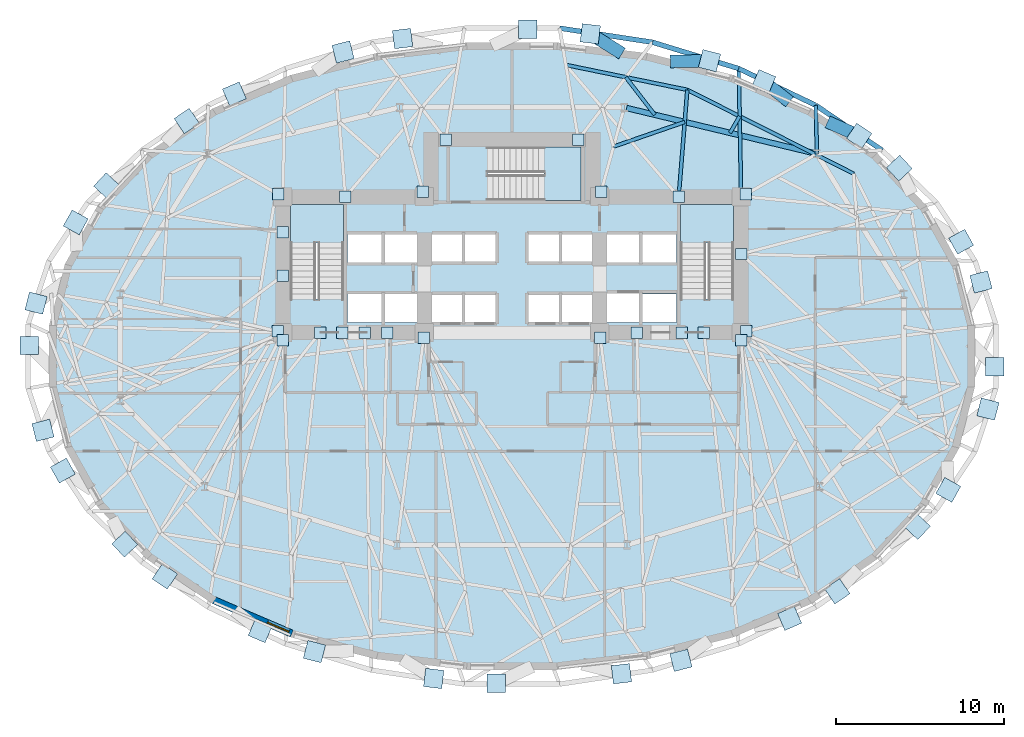
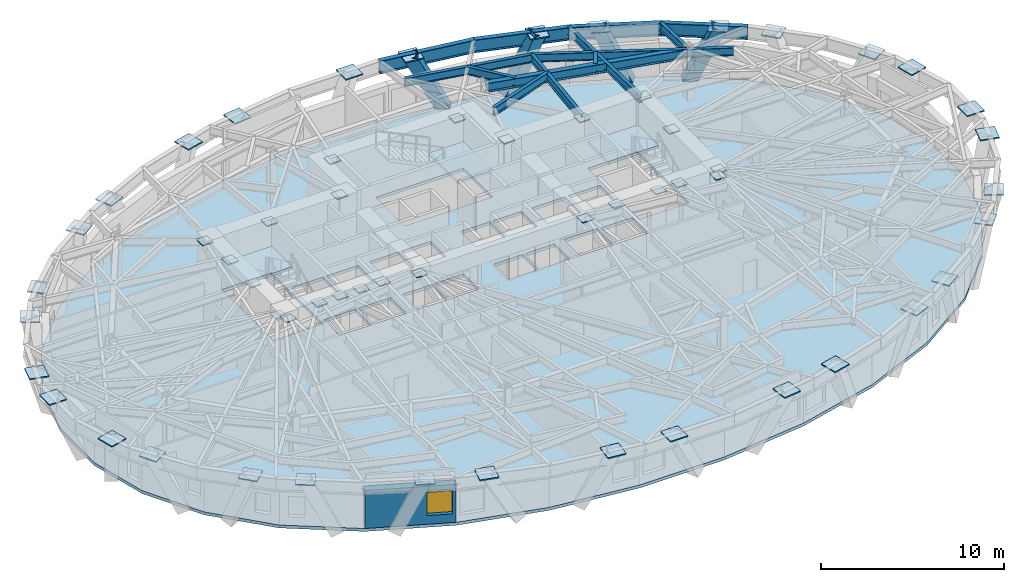
# One storey, part 5 of 14: 56 plates, 13 beams, 4 members, 4 slabs, 1 wall, 1 window, 1 opening, 3 elements without a shape of their own.
"""IFC4 building model written with IfcOpenShell, lengths in metres."""

from ifc_helpers import new_model, si_unit, direction, frame, frame_2d, origin, origin_2d, place, context, subcontext, project, spatial, polyline, rectangle, hollow_rectangle, i_section, outline, extrude, material, layer, layer_set, material_profile, profile_set, type_object, element, fill, aggregate, save


model = new_model("IFC4")

# Units and contexts
model_context = context("Model", 3, precision=1e-05, world=origin(), true_north=direction((0.0, 1.0)))
body_context = subcontext(model_context, "Body", "Model", "MODEL_VIEW")
ifc_project = project(units=[si_unit("LENGTHUNIT", "METRE"), si_unit("AREAUNIT", "SQUARE_METRE"), si_unit("VOLUMEUNIT", "CUBIC_METRE"), si_unit("PLANEANGLEUNIT", "RADIAN"), si_unit("MASSUNIT", "GRAM", prefix="KILO")], contexts=[model_context])

# Site, building, storey
site_placement = place(None, origin())
site = spatial("IfcSite", under=ifc_project, at=site_placement, CompositionType="ELEMENT")
building_placement = place(site_placement, origin())
building = spatial("IfcBuilding", under=site, at=building_placement, Name="Keldmark Tower", CompositionType="ELEMENT")
storey_placement = place(building_placement, frame((0.0, 0.0, 52.199951171875)))
storey = spatial("IfcBuildingStorey", under=building, at=storey_placement, Name="L13", CompositionType="ELEMENT", Elevation=52.199951171875)

# Members
ifc_material_1 = material(Name="Steel ASTM A572 Grade 50", Category="steel")
ifc_material_profile_1 = material_profile(ifc_material_1, hollow_rectangle(XDim=0.75, YDim=0.75, WallThickness=0.06494140625, at=origin_2d()), Name="BOX750X750X65")
ifc_profile_set_1 = profile_set([ifc_material_profile_1], Name="Steel ASTM A572 Grade 50")
member_type = type_object("IfcMemberType", Name="Diagrid Lower Brace BOX750X750X65", PredefinedType="BRACE", material=ifc_profile_set_1)
member_1_placement = place(storey_placement, frame((19.035400390625, 13.769775390625, -0.280029296875), z_axis=(0.397182424478, -0.176573558013, 0.900593082528), x_axis=(0.406230748204, 0.913770528751, 0.0)))
element("IfcMember", 1, at=member_1_placement, inside=storey, type_object=member_type, Name="L13 Perimeter Diagrid Brace 02B", PredefinedType="BRACE", context=body_context, shape_type="SweptSolid", body=[
    extrude(hollow_rectangle(XDim=0.75, YDim=0.75, WallThickness=0.06494140625, at=origin_2d()), origin(), (0.0, 0.0, 1.0), 3.953125),
])
member_2_placement = place(storey_placement, frame((16.2041015625, 15.302490234375, -0.280029296875), z_axis=(-0.323129547502, 0.254240253374, 0.911564144258), x_axis=(-0.618351877126, -0.785901365347, 0.0)))
element("IfcMember", 2, at=member_2_placement, inside=storey, type_object=member_type, Name="L13 Perimeter Diagrid Brace 03A", PredefinedType="BRACE", context=body_context, shape_type="SweptSolid", body=[
    extrude(hollow_rectangle(XDim=0.75, YDim=0.75, WallThickness=0.06494140625, at=origin_2d()), origin(), (0.0, 0.0, 1.0), 3.905517578125),
])
member_3_placement = place(storey_placement, frame((9.722900390625, 17.493896484375, -0.280029296875), z_axis=(0.489628303368, 0.010164465939, 0.871872013642), x_axis=(-0.020755083686, 0.99978459005, 0.0)))
element("IfcMember", 3, at=member_3_placement, inside=storey, type_object=member_type, Name="L13 Perimeter Diagrid Brace 03B", PredefinedType="BRACE", context=body_context, shape_type="SweptSolid", body=[
    extrude(hollow_rectangle(XDim=0.75, YDim=0.75, WallThickness=0.06494140625, at=origin_2d()), origin(), (0.0, 0.0, 1.0), 4.083251953125),
])
member_4_placement = place(storey_placement, frame((6.251220703125, 18.134765625, -0.280029296875), z_axis=(-0.398182214042, 0.246773608915, 0.883489507784), x_axis=(-0.526786444892, -0.849997671454, 0.0)))
element("IfcMember", 4, at=member_4_placement, inside=storey, type_object=member_type, Name="L13 Perimeter Diagrid Brace 04A", PredefinedType="BRACE", context=body_context, shape_type="SweptSolid", body=[
    extrude(hollow_rectangle(XDim=0.75, YDim=0.75, WallThickness=0.06494140625, at=origin_2d()), origin(), (0.0, 0.0, 1.0), 4.029541015625),
])

# Beams
ifc_material_2 = material(Name="Steel ASTM A992 Grade 50", Category="steel")
ifc_material_profile_2 = material_profile(ifc_material_2, i_section(OverallWidth=0.323974609375, OverallDepth=0.611083984375, WebThickness=0.0126953125, FlangeThickness=0.01904296875, at=origin_2d()), Name="W24X104")
ifc_profile_set_2 = profile_set([ifc_material_profile_2], Name="Steel ASTM A992 Grade 50")
beam_type_1 = type_object("IfcBeamType", Name="Primary Floor Girder W24X104", PredefinedType="BEAM", material=ifc_profile_set_2)
beam_1_placement = place(storey_placement, frame((17.961669921875, 12.040283203125, 3.094482421875), z_axis=(-0.972218707757, 0.2340743136, 0.0), x_axis=(-0.2340743136, -0.972218707757, 0.0)))
element("IfcBeam", 5, at=beam_1_placement, inside=storey, type_object=beam_type_1, Name="L13 Floor Ring Girder FG-R02", PredefinedType="BEAM", context=body_context, shape_type="SweptSolid", body=[
    extrude(i_section(OverallWidth=0.323974609375, OverallDepth=0.611083984375, WebThickness=0.0126953125, FlangeThickness=0.01904296875, at=origin_2d()), origin(), (0.0, 0.0, 1.0), 11.479248046875),
])
ifc_material_3 = material(Name="Steel ASTM A992 Grade 50", Category="steel")
ifc_material_profile_3 = material_profile(ifc_material_3, i_section(OverallWidth=0.2099609375, OverallDepth=0.537109375, WebThickness=0.010986328125, FlangeThickness=0.017333984375, at=origin_2d()), Name="W21X68")
ifc_profile_set_3 = profile_set([ifc_material_profile_3], Name="Steel ASTM A992 Grade 50")
beam_type_2 = type_object("IfcBeamType", Name="Radial Tie Girder W21X68", PredefinedType="BEAM", material=ifc_profile_set_3)
beam_2_placement = place(storey_placement, frame((6.023681640625, 12.43505859375, 3.131591796875), z_axis=(0.945086624038, 0.326819939821, 0.0), x_axis=(-0.326819939821, 0.945086624038, 0.0)))
element("IfcBeam", 6, at=beam_2_placement, inside=storey, type_object=beam_type_2, Name="L13 Framing Pin Header PH-002", PredefinedType="BEAM", context=body_context, shape_type="SweptSolid", body=[
    extrude(i_section(OverallWidth=0.2099609375, OverallDepth=0.537109375, WebThickness=0.010986328125, FlangeThickness=0.017333984375, at=origin_2d()), origin(), (0.0, 0.0, 1.0), 4.472412109375),
])
beam_3_placement = place(storey_placement, frame((9.892822265625, 9.449951171875, 3.131591796875), z_axis=(0.080163846241, 0.996781700151, 0.0), x_axis=(-0.996781700151, 0.080163846241, 0.0)))
element("IfcBeam", 7, at=beam_3_placement, inside=storey, type_object=beam_type_2, Name="L13 Sub-Ring Step Girder STP1-M02", PredefinedType="BEAM", context=body_context, shape_type="SweptSolid", body=[
    extrude(i_section(OverallWidth=0.2099609375, OverallDepth=0.537109375, WebThickness=0.010986328125, FlangeThickness=0.017333984375, at=origin_2d()), origin(), (0.0, 0.0, 1.0), 6.374267578125),
])
beam_4_placement = place(storey_placement, frame((20.270263671875, 10.831298828125, 3.131591796875), z_axis=(-0.893004066682, 0.45004859392, 0.0), x_axis=(-0.45004859392, -0.893004066682, 0.0)))
element("IfcBeam", 8, at=beam_4_placement, inside=storey, type_object=beam_type_2, Name="L13 Perimeter Collector Ring Beam CRG1-M01", PredefinedType="BEAM", context=body_context, shape_type="SweptSolid", body=[
    extrude(i_section(OverallWidth=0.2099609375, OverallDepth=0.537109375, WebThickness=0.010986328125, FlangeThickness=0.017333984375, at=origin_2d()), origin(), (0.0, 0.0, 1.0), 11.048583984375),
])
beam_5_placement = place(storey_placement, frame((10.40380859375, 15.8037109375, 3.131591796875), z_axis=(-0.97953894466, 0.201254704032, 0.0), x_axis=(-0.201254704032, -0.97953894466, 0.0)))
element("IfcBeam", 9, at=beam_5_placement, inside=storey, type_object=beam_type_2, Name="L13 Perimeter Collector Ring Beam CRG1-M02", PredefinedType="BEAM", context=body_context, shape_type="SweptSolid", body=[
    extrude(i_section(OverallWidth=0.2099609375, OverallDepth=0.537109375, WebThickness=0.010986328125, FlangeThickness=0.017333984375, at=origin_2d()), origin(), (0.0, 0.0, 1.0), 7.36962890625),
])
beam_6_placement = place(storey_placement, frame((18.09765625, 12.00732421875, 3.131591796875), z_axis=(-0.024892766779, 0.99969012707, 0.0), x_axis=(-0.99969012707, -0.024892766779, 0.0)))
element("IfcBeam", 10, at=beam_6_placement, inside=storey, type_object=beam_type_2, Name="L13 Perimeter Column Bracket RT-05", PredefinedType="BEAM", context=body_context, shape_type="SweptSolid", body=[
    extrude(i_section(OverallWidth=0.2099609375, OverallDepth=0.537109375, WebThickness=0.010986328125, FlangeThickness=0.017333984375, at=origin_2d()), origin(), (0.0, 0.0, 1.0), 2.883544921875),
])
beam_7_placement = place(storey_placement, frame((12.939453125, 13.249267578125, 3.131591796875), z_axis=(0.500024700597, 0.866011142419, 0.0), x_axis=(-0.866011142419, 0.500024700597, 0.0)))
element("IfcBeam", 11, at=beam_7_placement, inside=storey, type_object=beam_type_2, Name="L13 Framing Pin Header PH-018", PredefinedType="BEAM", context=body_context, shape_type="SweptSolid", body=[
    extrude(i_section(OverallWidth=0.2099609375, OverallDepth=0.537109375, WebThickness=0.010986328125, FlangeThickness=0.017333984375, at=origin_2d()), origin(), (0.0, 0.0, 1.0), 1.14208984375),
])
beam_8_placement = place(storey_placement, frame((13.60009765625, 9.449951171875, 3.131591796875), z_axis=(-0.018713471393, 0.999824887662, 0.0), x_axis=(-0.999824887662, -0.018713471393, 0.0)))
element("IfcBeam", 12, at=beam_8_placement, inside=storey, type_object=beam_type_2, Name="L13 Perimeter Radial Tie Girder RT-06", PredefinedType="BEAM", context=body_context, shape_type="SweptSolid", body=[
    extrude(i_section(OverallWidth=0.2099609375, OverallDepth=0.537109375, WebThickness=0.010986328125, FlangeThickness=0.017333984375, at=origin_2d()), origin(), (0.0, 0.0, 1.0), 7.618896484375),
])
beam_9_placement = place(storey_placement, frame((8.475341796875, 14.32421875, 3.131591796875), z_axis=(-0.61079568729, 0.79178824719, 0.0), x_axis=(-0.79178824719, -0.61079568729, 0.0)))
element("IfcBeam", 13, at=beam_9_placement, inside=storey, type_object=beam_type_2, Name="L13 Framing Pin Header PH-019", PredefinedType="BEAM", context=body_context, shape_type="SweptSolid", body=[
    extrude(i_section(OverallWidth=0.2099609375, OverallDepth=0.537109375, WebThickness=0.010986328125, FlangeThickness=0.017333984375, at=origin_2d()), origin(), (0.0, 0.0, 1.0), 2.815185546875),
])
ifc_material_4 = material(Name="Steel ASTM A992 Grade 50", Category="steel")
ifc_material_profile_4 = material_profile(ifc_material_4, i_section(OverallWidth=0.2919921875, OverallDepth=0.85888671875, WebThickness=0.01708984375, FlangeThickness=0.031005859375, at=origin_2d()), Name="W33X169")
ifc_profile_set_4 = profile_set([ifc_material_profile_4], Name="Steel ASTM A992 Grade 50")
beam_type_3 = type_object("IfcBeamType", Name="Spandrel Ring Beam W33X169", PredefinedType="SPANDREL", material=ifc_profile_set_4)
beam_10_placement = place(storey_placement, frame((21.964599609375, 12.2197265625, 2.970458984375), z_axis=(-0.827723442454, 0.561136260468, 0.0), x_axis=(-0.561136260468, -0.827723442454, 0.0)))
element("IfcBeam", 14, at=beam_10_placement, inside=storey, type_object=beam_type_3, Name="L13 Perimeter Spandrel Ring Beam SRB-04", PredefinedType="SPANDREL", context=body_context, shape_type="SweptSolid", body=[
    extrude(i_section(OverallWidth=0.2919921875, OverallDepth=0.85888671875, WebThickness=0.01708984375, FlangeThickness=0.031005859375, at=origin_2d()), origin(), (0.0, 0.0, 1.0), 4.758544921875),
])
beam_11_placement = place(storey_placement, frame((18.02587890625, 14.889892578125, 2.970458984375), z_axis=(-0.902682101727, 0.430308056189, 0.0), x_axis=(-0.430308056189, -0.902682101727, 0.0)))
element("IfcBeam", 15, at=beam_11_placement, inside=storey, type_object=beam_type_3, Name="L13 Perimeter Spandrel Ring Beam SRB-05", PredefinedType="SPANDREL", context=body_context, shape_type="SweptSolid", body=[
    extrude(i_section(OverallWidth=0.2919921875, OverallDepth=0.85888671875, WebThickness=0.01708984375, FlangeThickness=0.031005859375, at=origin_2d()), origin(), (0.0, 0.0, 1.0), 5.060791015625),
])
beam_12_placement = place(storey_placement, frame((13.45751953125, 17.067626953125, 2.970458984375), z_axis=(-0.956466543593, 0.291841996615, 0.0), x_axis=(-0.291841996615, -0.956466543593, 0.0)))
element("IfcBeam", 16, at=beam_12_placement, inside=storey, type_object=beam_type_3, Name="L13 Perimeter Spandrel Ring Beam SRB-06", PredefinedType="SPANDREL", context=body_context, shape_type="SweptSolid", body=[
    extrude(i_section(OverallWidth=0.2919921875, OverallDepth=0.85888671875, WebThickness=0.01708984375, FlangeThickness=0.031005859375, at=origin_2d()), origin(), (0.0, 0.0, 1.0), 5.35400390625),
])
beam_13_placement = place(storey_placement, frame((8.336669921875, 18.630126953125, 2.970458984375), z_axis=(-0.988714127489, 0.149814465604, 0.0), x_axis=(-0.149814465604, -0.988714127489, 0.0)))
element("IfcBeam", 17, at=beam_13_placement, inside=storey, type_object=beam_type_3, Name="L13 Perimeter Spandrel Ring Beam SRB-07", PredefinedType="SPANDREL", context=body_context, shape_type="SweptSolid", body=[
    extrude(i_section(OverallWidth=0.2919921875, OverallDepth=0.85888671875, WebThickness=0.01708984375, FlangeThickness=0.031005859375, at=origin_2d()), origin(), (0.0, 0.0, 1.0), 5.57177734375),
])

# Plates
ifc_material_5 = material(Name="Steel ASTM A572 Grade 50", Category="steel")
ifc_layer_1 = layer(ifc_material_5, 0.06005859375)
ifc_layer_set_1 = layer_set([ifc_layer_1], Name="Steel ASTM A572 Grade 50")
plate_type_1 = type_object("IfcPlateType", Name="Belt Truss Kink Node Assembly KN01 60 mm", PredefinedType="USERDEFINED", material=ifc_layer_set_1)
for number, where, z_axis, x_axis, name in (
    (18, (13.91162109375, 1.473388671875, 3.09814453125), (0.0, 0.0, 1.0), (1.0, 0.0, 0.0), "L13 Core Wall Cast-In Embed Plate 325"),
    (19, (13.878173828125, 9.608154296875, 3.09814453125), (0.0, 0.0, 1.0), (1.0, 0.0, 0.0), "L13 Core Wall Cast-In Embed Plate 326"),
    (20, (5.28515625, 9.758544921875, 3.09814453125), (0.0, 0.0, 1.0), (1.0, 0.0, 0.0), "L13 Core Wall Cast-In Embed Plate 327"),
    (21, (-5.28515625, 9.758544921875, 3.09814453125), (0.0, 0.0, 1.0), (1.0, 0.0, 0.0), "L13 Core Wall Cast-In Embed Plate 328"),
    (22, (-13.878173828125, 9.608154296875, 3.09814453125), (0.0, 0.0, 1.0), (1.0, 0.0, 0.0), "L13 Core Wall Cast-In Embed Plate 329"),
    (23, (-13.91162109375, 1.473388671875, 3.09814453125), (0.0, 0.0, 1.0), (1.0, 0.0, 0.0), "L13 Core Wall Cast-In Embed Plate 330"),
    (24, (-5.24072265625, 1.08251953125, 3.09814453125), (0.0, 0.0, 1.0), (1.0, 0.0, 0.0), "L13 Core Wall Cast-In Embed Plate 331"),
    (25, (5.24072265625, 1.08251953125, 3.09814453125), (0.0, 0.0, 1.0), (1.0, 0.0, 0.0), "L13 Core Wall Cast-In Embed Plate 332"),
    (26, (9.892822265625, 9.449951171875, 3.10400390625), (0.0, 0.0, 1.0), (1.0, 0.0, 0.0), "L13 Core Wall Cast-In Embed Plate 333"),
    (27, (-9.892822265625, 9.449951171875, 3.10400390625), (0.0, 0.0, 1.0), (1.0, 0.0, 0.0), "L13 Core Wall Cast-In Embed Plate 334"),
    (28, (-11.392822265625, 1.39990234375, 3.10400390625), (0.0, 0.0, 1.0), (1.0, 0.0, 0.0), "L13 Core Wall Cast-In Embed Plate 335"),
    (29, (13.60009765625, 0.949951171875, 3.10400390625), (0.0, 0.0, 1.0), (1.0, 0.0, 0.0), "L13 Core Wall Cast-In Embed Plate 336"),
    (30, (13.60009765625, 6.064208984375, 3.10400390625), (0.0, 0.0, 1.0), (1.0, 0.0, 0.0), "L13 Core Wall Cast-In Embed Plate 337"),
    (31, (3.9375, 12.85009765625, 3.10400390625), (0.0, 0.0, 1.0), (1.0, 0.0, 0.0), "L13 Core Wall Cast-In Embed Plate 338"),
    (32, (-3.9375, 12.85009765625, 3.10400390625), (0.0, 0.0, 1.0), (1.0, 0.0, 0.0), "L13 Core Wall Cast-In Embed Plate 339"),
    (33, (-13.60009765625, 7.343017578125, 3.10400390625), (0.0, 0.0, 1.0), (1.0, 0.0, 0.0), "L13 Core Wall Cast-In Embed Plate 340"),
    (34, (-13.60009765625, 0.949951171875, 3.10400390625), (0.0, 0.0, 1.0), (1.0, 0.0, 0.0), "L13 Core Wall Cast-In Embed Plate 341"),
    (35, (-13.60009765625, 4.78564453125, 3.10400390625), (0.0, 0.0, 1.0), (1.0, 0.0, 0.0), "L13 Core Wall Cast-In Embed Plate 342"),
    (36, (-7.406982421875, 1.39990234375, 3.10400390625), (0.0, 0.0, 1.0), (1.0, 0.0, 0.0), "L13 Core Wall Cast-In Embed Plate 343"),
    (37, (-10.064208984375, 1.39990234375, 3.10400390625), (0.0, 0.0, 1.0), (1.0, 0.0, 0.0), "L13 Core Wall Cast-In Embed Plate 344"),
    (38, (7.406982421875, 1.39990234375, 3.10400390625), (0.0, 0.0, 1.0), (1.0, 0.0, 0.0), "L13 Core Wall Cast-In Embed Plate 345"),
    (39, (11.392822265625, 1.39990234375, 3.10400390625), (0.0, 0.0, 1.0), (1.0, 0.0, 0.0), "L13 Core Wall Cast-In Embed Plate 346"),
    (40, (10.064208984375, 1.39990234375, 3.10400390625), (0.0, 0.0, 1.0), (1.0, 0.0, 0.0), "L13 Core Wall Cast-In Embed Plate 347"),
    (41, (-8.735595703125, 1.39990234375, 3.10400390625), (0.0, 0.0, 1.0), (1.0, 0.0, 0.0), "L13 Core Wall Cast-In Embed Plate 348"),
):
    element("IfcPlate", number, at=place(storey_placement, frame(where, z_axis=z_axis, x_axis=x_axis)), inside=storey, type_object=plate_type_1, Name=name, ObjectType="CAP PLATE", PredefinedType="USERDEFINED", context=body_context, shape_type="SweptSolid", body=[
        extrude(rectangle(XDim=0.679931640625, YDim=0.679931640625, at=origin_2d()), origin(), (0.0, 0.0, 1.0), 0.054931640625),
    ])
ifc_material_6 = material(Name="Steel ASTM A572 Grade 50", Category="steel")
ifc_layer_2 = layer(ifc_material_6, 0.074951171875)
ifc_layer_set_2 = layer_set([ifc_layer_2], Name="Steel ASTM A572 Grade 50")
plate_type_2 = type_object("IfcPlateType", Name="Diagrid Node Assembly DN01 75 mm", PredefinedType="USERDEFINED", material=ifc_layer_set_2)
for number, where, z_axis, x_axis, name in (
    (42, (27.8330078125, 4.400634765625, 3.24267578125), (0.0, 0.0, 1.0), (-0.248013628006, 0.968756543371, 0.0), "L13 Diagrid Node Assembly 01"),
    (43, (26.656494140625, 6.791015625, 3.24267578125), (0.0, 0.0, 1.0), (-0.487402531354, 0.87317740032, 0.0), "L13 Diagrid Node Assembly 02"),
    (44, (22.982666015625, 11.1591796875, 3.24267578125), (0.0, 0.0, 1.0), (-0.683018857343, 0.730400739673, 0.0), "L13 Diagrid Node Assembly 03"),
    (45, (20.60546875, 13.07177734375, 3.24267578125), (0.0, 0.0, 1.0), (-0.827864584251, 0.560928007986, 0.0), "L13 Diagrid Node Assembly 04"),
    (46, (14.942138671875, 16.29541015625, 3.24267578125), (0.0, 0.0, 1.0), (-0.918860091955, 0.394583491055, 0.0), "L13 Diagrid Node Assembly 05"),
    (47, (11.72216796875, 17.535400390625, 3.24267578125), (0.0, 0.0, 1.0), (-0.968713242072, 0.248182704141, 0.0), "L13 Diagrid Node Assembly 06"),
    (48, (4.646728515625, 19.129150390625, 3.24267578125), (0.0, 0.0, 1.0), (-0.993150271527, 0.1168440763, 0.0), "L13 Diagrid Node Assembly 07"),
    (49, (0.936767578125, 19.4052734375, 3.24267578125), (0.0, 0.0, 1.0), (-1.0, 0.0, 0.0), "L13 Diagrid Node Assembly 08"),
    (50, (-6.494384765625, 18.8486328125, 3.24267578125), (0.0, 0.0, 1.0), (-0.993150271527, -0.1168440763, 0.0), "L13 Diagrid Node Assembly 09"),
    (51, (-10.026123046875, 18.052001953125, 3.24267578125), (0.0, 0.0, 1.0), (-0.968713242072, -0.248182704141, 0.0), "L13 Diagrid Node Assembly 10"),
    (52, (-16.474853515625, 15.562744140625, 3.24267578125), (0.0, 0.0, 1.0), (-0.918860091955, -0.394583491055, 0.0), "L13 Diagrid Node Assembly 11"),
    (53, (-19.30078125, 13.953369140625, 3.24267578125), (0.0, 0.0, 1.0), (-0.827864584251, -0.560928007986, 0.0), "L13 Diagrid Node Assembly 12"),
    (54, (-24.06005859375, 10.116943359375, 3.24267578125), (0.0, 0.0, 1.0), (-0.683018857343, -0.730400739673, 0.0), "L13 Diagrid Node Assembly 13"),
    (55, (-25.892578125, 7.9375, 3.24267578125), (0.0, 0.0, 1.0), (-0.487402531354, -0.87317740032, 0.0), "L13 Diagrid Node Assembly 14"),
    (56, (-28.24560546875, 3.14453125, 3.24267578125), (0.0, 0.0, 1.0), (-0.248013628006, -0.968756543371, 0.0), "L13 Diagrid Node Assembly 15"),
    (57, (-28.65380859375, 0.633056640625, 3.24267578125), (0.0, 0.0, 1.0), (0.0, -1.0, 0.0), "L13 Diagrid Node Assembly 16"),
    (58, (-27.8330078125, -4.400634765625, 3.24267578125), (0.0, 0.0, 1.0), (0.248013628006, -0.968756543371, 0.0), "L13 Diagrid Node Assembly 17"),
    (59, (-26.656494140625, -6.791015625, 3.24267578125), (0.0, 0.0, 1.0), (0.487402531354, -0.87317740032, 0.0), "L13 Diagrid Node Assembly 18"),
    (60, (-22.982666015625, -11.1591796875, 3.24267578125), (0.0, 0.0, 1.0), (0.683018857343, -0.730400739673, 0.0), "L13 Diagrid Node Assembly 19"),
    (61, (-20.60546875, -13.07177734375, 3.24267578125), (0.0, 0.0, 1.0), (0.827864584251, -0.560928007986, 0.0), "L13 Diagrid Node Assembly 20"),
    (62, (-14.942138671875, -16.29541015625, 3.24267578125), (0.0, 0.0, 1.0), (0.918860091955, -0.394583491055, 0.0), "L13 Diagrid Node Assembly 21"),
    (63, (-11.72216796875, -17.535400390625, 3.24267578125), (0.0, 0.0, 1.0), (0.968713242072, -0.248182704141, 0.0), "L13 Diagrid Node Assembly 22"),
    (64, (-4.646728515625, -19.129150390625, 3.24267578125), (0.0, 0.0, 1.0), (0.993150271527, -0.1168440763, 0.0), "L13 Diagrid Node Assembly 23"),
    (65, (-0.936767578125, -19.4052734375, 3.24267578125), (0.0, 0.0, 1.0), (1.0, 0.0, 0.0), "L13 Diagrid Node Assembly 24"),
    (66, (6.494384765625, -18.8486328125, 3.24267578125), (0.0, 0.0, 1.0), (0.993150271527, 0.1168440763, 0.0), "L13 Diagrid Node Assembly 25"),
    (67, (10.026123046875, -18.052001953125, 3.24267578125), (0.0, 0.0, 1.0), (0.968713242072, 0.248182704141, 0.0), "L13 Diagrid Node Assembly 26"),
    (68, (16.474853515625, -15.562744140625, 3.24267578125), (0.0, 0.0, 1.0), (0.918860091955, 0.394583491055, 0.0), "L13 Diagrid Node Assembly 27"),
    (69, (19.30078125, -13.953369140625, 3.24267578125), (0.0, 0.0, 1.0), (0.827864584251, 0.560928007986, 0.0), "L13 Diagrid Node Assembly 28"),
    (70, (24.06005859375, -10.116943359375, 3.24267578125), (0.0, 0.0, 1.0), (0.683018857343, 0.730400739673, 0.0), "L13 Diagrid Node Assembly 29"),
    (71, (25.892578125, -7.9375, 3.24267578125), (0.0, 0.0, 1.0), (0.487402531354, 0.87317740032, 0.0), "L13 Diagrid Node Assembly 30"),
    (72, (28.24560546875, -3.14453125, 3.24267578125), (0.0, 0.0, 1.0), (0.248013628006, 0.968756543371, 0.0), "L13 Diagrid Node Assembly 31"),
    (73, (28.65380859375, -0.633056640625, 3.24267578125), (0.0, 0.0, 1.0), (0.0, 1.0, 0.0), "L13 Diagrid Node Assembly 32"),
):
    element("IfcPlate", number, at=place(storey_placement, frame(where, z_axis=z_axis, x_axis=x_axis)), inside=storey, type_object=plate_type_2, Name=name, ObjectType="GUSSET", PredefinedType="USERDEFINED", context=body_context, shape_type="SweptSolid", body=[
        extrude(rectangle(XDim=1.090087890625, YDim=1.090087890625, at=origin_2d()), origin(), (0.0, 0.0, 1.0), 0.074951171875),
    ])

# Slab
ifc_material_7 = material(Name="Concrete C35/45", Category="concrete")
ifc_layer_3 = layer(ifc_material_7, 0.199951171875)
ifc_layer_set_3 = layer_set([ifc_layer_3], Name="Concrete C35/45")
slab_type_1 = type_object("IfcSlabType", Name="Low-Rise Office Composite Slab 200 mm", PredefinedType="FLOOR", material=ifc_layer_set_3)
slab_1_placement = place(storey_placement, frame((0.0, 0.0, -0.199951171875)))
element("IfcSlab", 74, at=slab_1_placement, inside=storey, type_object=slab_type_1, Name="L13 Composite Structural Floor Slab", PredefinedType="FLOOR", context=body_context, shape_type="SweptSolid", body=[
    extrude(outline(polyline([(27.4658203125, 1.8330078125), (26.538330078125, 5.455078125), (24.6083984375, 8.912841796875), (21.6728515625, 12.05224609375), (17.786376953125, 14.685791015625), (13.1533203125, 16.6748046875), (8.05029296875, 17.982666015625), (2.705078125, 18.611083984375), (-2.705078125, 18.611083984375), (-8.05029296875, 17.982666015625), (-13.1533203125, 16.6748046875), (-17.786376953125, 14.685791015625), (-21.6728515625, 12.05224609375), (-24.6083984375, 8.912841796875), (-26.538330078125, 5.455078125), (-27.4658203125, 1.8330078125), (-27.4658203125, -1.8330078125), (-26.538330078125, -5.455078125), (-24.6083984375, -8.912841796875), (-21.6728515625, -12.05224609375), (-17.786376953125, -14.685791015625), (-13.1533203125, -16.6748046875), (-8.05029296875, -17.982666015625), (-2.705078125, -18.611083984375), (2.705078125, -18.611083984375), (8.05029296875, -17.982666015625), (13.1533203125, -16.6748046875), (17.786376953125, -14.685791015625), (21.6728515625, -12.05224609375), (24.6083984375, -8.912841796875), (26.538330078125, -5.455078125), (27.4658203125, -1.8330078125), (27.4658203125, 1.8330078125)]), holes=[polyline([(-10.0, 3.385009765625), (-10.0, 9.0), (-13.14990234375, 9.0), (-13.14990234375, 3.385009765625), (-10.0, 3.385009765625)]), polyline([(13.14990234375, 3.385009765625), (13.14990234375, 9.0), (10.0, 9.0), (10.0, 3.385009765625), (13.14990234375, 3.385009765625)]), polyline([(-1.43994140625, 9.25), (4.10498046875, 9.25), (4.10498046875, 12.39990234375), (-1.43994140625, 12.39990234375), (-1.43994140625, 9.25)]), polyline([(-9.75, 2.0), (-7.75, 2.0), (-7.75, 3.699951171875), (-9.75, 3.699951171875), (-9.75, 2.0)]), polyline([(7.75, 2.0), (9.75, 2.0), (9.75, 3.699951171875), (7.75, 3.699951171875), (7.75, 2.0)]), polyline([(5.449951171875, 2.0), (7.550048828125, 2.0), (7.550048828125, 3.75), (5.449951171875, 3.75), (5.449951171875, 2.0)]), polyline([(-4.800048828125, 2.0), (-2.949951171875, 2.0), (-2.949951171875, 3.64990234375), (-4.800048828125, 3.64990234375), (-4.800048828125, 2.0)]), polyline([(-2.800048828125, 2.0), (-0.949951171875, 2.0), (-0.949951171875, 3.64990234375), (-2.800048828125, 3.64990234375), (-2.800048828125, 2.0)]), polyline([(0.949951171875, 2.0), (2.800048828125, 2.0), (2.800048828125, 3.64990234375), (0.949951171875, 3.64990234375), (0.949951171875, 2.0)]), polyline([(2.949951171875, 2.0), (4.800048828125, 2.0), (4.800048828125, 3.64990234375), (2.949951171875, 3.64990234375), (2.949951171875, 2.0)]), polyline([(-4.800048828125, 5.60009765625), (-2.949951171875, 5.60009765625), (-2.949951171875, 7.25), (-4.800048828125, 7.25), (-4.800048828125, 5.60009765625)]), polyline([(-2.800048828125, 5.60009765625), (-0.949951171875, 5.60009765625), (-0.949951171875, 7.25), (-2.800048828125, 7.25), (-2.800048828125, 5.60009765625)]), polyline([(0.949951171875, 5.60009765625), (2.800048828125, 5.60009765625), (2.800048828125, 7.25), (0.949951171875, 7.25), (0.949951171875, 5.60009765625)]), polyline([(2.949951171875, 5.60009765625), (4.800048828125, 5.60009765625), (4.800048828125, 7.25), (2.949951171875, 7.25), (2.949951171875, 5.60009765625)]), polyline([(-9.75, 5.550048828125), (-7.75, 5.550048828125), (-7.75, 7.25), (-9.75, 7.25), (-9.75, 5.550048828125)]), polyline([(-7.550048828125, 5.550048828125), (-5.550048828125, 5.550048828125), (-5.550048828125, 7.25), (-7.550048828125, 7.25), (-7.550048828125, 5.550048828125)]), polyline([(-7.550048828125, 2.0), (-5.550048828125, 2.0), (-5.550048828125, 3.699951171875), (-7.550048828125, 3.699951171875), (-7.550048828125, 2.0)]), polyline([(5.449951171875, 5.550048828125), (7.550048828125, 5.550048828125), (7.550048828125, 7.25), (5.449951171875, 7.25), (5.449951171875, 5.550048828125)]), polyline([(7.75, 5.550048828125), (9.75, 5.550048828125), (9.75, 7.25), (7.75, 7.25), (7.75, 5.550048828125)])]), origin(), (0.0, 0.0, 1.0), 0.199951171875),
])

# Stair, slab
ifc_material_8 = material(Name="Concrete C40/50", Category="concrete")
stair_type = type_object("IfcStairType", Name="Precast Concrete Core Exit Stair", PredefinedType="HALF_TURN_STAIR", material=ifc_material_8)
stair_1_placement = place(storey_placement, origin())
stair_1 = element("IfcStair", 75, at=stair_1_placement, inside=storey, type_object=stair_type, Name="L13 Exit Stair ST1", PredefinedType="HALF_TURN_STAIR")
ifc_material_9 = material(Name="Concrete C40/50", Category="concrete")
ifc_layer_4 = layer(ifc_material_9, 0.199951171875)
ifc_layer_set_4 = layer_set([ifc_layer_4], Name="Concrete C40/50")
slab_type_2 = type_object("IfcSlabType", Name="Reinforced Concrete Stair Landing 200 mm", PredefinedType="LANDING", material=ifc_layer_set_4)
slab_2_placement = place(storey_placement, frame((0.0, 0.0, 1.60009765625)))
slab_2 = element("IfcSlab", 76, at=slab_2_placement, type_object=slab_type_2, Name="ST1 landing 1", PredefinedType="LANDING", context=body_context, shape_type="SweptSolid", body=[
    extrude(outline(polyline([(-10.0, 6.72998046875), (-10.0, 9.0), (-13.14990234375, 9.0), (-13.14990234375, 6.72998046875), (-10.0, 6.72998046875)])), origin(), (0.0, 0.0, 1.0), 0.199951171875),
])
aggregate(stair_1, [slab_2])

stair_2_placement = place(storey_placement, origin())
stair_2 = element("IfcStair", 77, at=stair_2_placement, inside=storey, type_object=stair_type, Name="L13 Exit Stair ST2", PredefinedType="HALF_TURN_STAIR")
slab_3_placement = place(storey_placement, frame((0.0, 0.0, 1.60009765625)))
slab_3 = element("IfcSlab", 78, at=slab_3_placement, type_object=slab_type_2, Name="ST2 landing 1", PredefinedType="LANDING", context=body_context, shape_type="SweptSolid", body=[
    extrude(outline(polyline([(13.14990234375, 6.72998046875), (13.14990234375, 9.0), (10.0, 9.0), (10.0, 6.72998046875), (13.14990234375, 6.72998046875)])), origin(), (0.0, 0.0, 1.0), 0.199951171875),
])
aggregate(stair_2, [slab_3])

stair_3_placement = place(storey_placement, origin())
stair_3 = element("IfcStair", 79, at=stair_3_placement, inside=storey, type_object=stair_type, Name="L13 Exit Stair ST3", PredefinedType="HALF_TURN_STAIR")
slab_4_placement = place(storey_placement, frame((0.0, 0.0, 1.60009765625)))
slab_4 = element("IfcSlab", 80, at=slab_4_placement, type_object=slab_type_2, Name="ST3 landing 1", PredefinedType="LANDING", context=body_context, shape_type="SweptSolid", body=[
    extrude(outline(polyline([(1.905029296875, 9.25), (4.10498046875, 9.25), (4.10498046875, 12.39990234375), (1.905029296875, 12.39990234375), (1.905029296875, 9.25)])), origin(), (0.0, 0.0, 1.0), 0.199951171875),
])
aggregate(stair_3, [slab_4])

# Wall, opening, window
ifc_material_10 = material(Name="Ironspot Manganese Brick and Kasota Buff Limestone Spandrel Assembly", Category="masonry")
ifc_layer_5 = layer(ifc_material_10, 0.43994140625)
ifc_layer_set_5 = layer_set([ifc_layer_5], Name="Ironspot Manganese Brick and Kasota Buff Limestone Spandrel Assembly")
wall_type = type_object("IfcWallType", Name="Tower Brick Pier and Spandrel Wall 440 mm", PredefinedType="STANDARD", material=ifc_layer_set_5)
wall_placement = place(storey_placement, frame((-13.066650390625, -16.47265625, 0.0), z_axis=(0.0, 0.0, 1.0), x_axis=(-0.918881850071, 0.394532819433, 0.0)))
wall = element("IfcWall", 81, at=wall_placement, inside=storey, type_object=wall_type, Name="L13 Exterior Brick and Spandrel Wall 21", PredefinedType="STANDARD", context=body_context, shape_type="SweptSolid", body=[
    extrude(rectangle(XDim=5.0419921875, YDim=0.43994140625, at=frame_2d((2.52099609375, 0.0))), origin(), (0.0, 0.0, 1.0), 2.532958984375),
])
opening_placement = place(wall_placement, frame((0.199951171875, 0.0, 0.580078125)))
opening = element("IfcOpeningElement", 82, at=opening_placement, cuts=wall, Name="Opening W-08", PredefinedType="OPENING", context=body_context, shape_type="SweptSolid", body=[
    extrude(rectangle(XDim=1.39990234375, YDim=1.550048828125, at=frame_2d((0.699951171875, 0.77490234375))), frame((0.0, 0.22998046875, 0.0), z_axis=(0.0, -1.0, 0.0), x_axis=(1.0, 0.0, 0.0)), (0.0, 0.0, 1.0), 0.4599609375),
])
ifc_material_11 = material(Name="Thermally Broken Anodized Aluminum and Triple Low-E Argon Glazing", Category="aluminium")
window_type = type_object("IfcWindowType", Name="Residential Corner Punched Window 1400x1550", PartitioningType="SINGLE_PANEL", PredefinedType="WINDOW", material=ifc_material_11)
window_placement = place(opening_placement, origin())
window = element("IfcWindow", 83, at=window_placement, inside=storey, type_object=window_type, Name="L13 Deep-Set Window 21", OverallHeight=1.550048828125, OverallWidth=1.39990234375, PartitioningType="SINGLE_PANEL", PredefinedType="WINDOW", context=body_context, shape_type="SweptSolid", body=[
    extrude(rectangle(XDim=1.39990234375, YDim=1.550048828125, at=frame_2d((0.699951171875, 0.77490234375))), frame((0.0, -0.010009765625, 0.0), z_axis=(0.0, -1.0, 0.0), x_axis=(1.0, 0.0, 0.0)), (0.0, 0.0, 1.0), 0.06005859375),
])
fill(opening, window)

save(model, "model.ifc")
